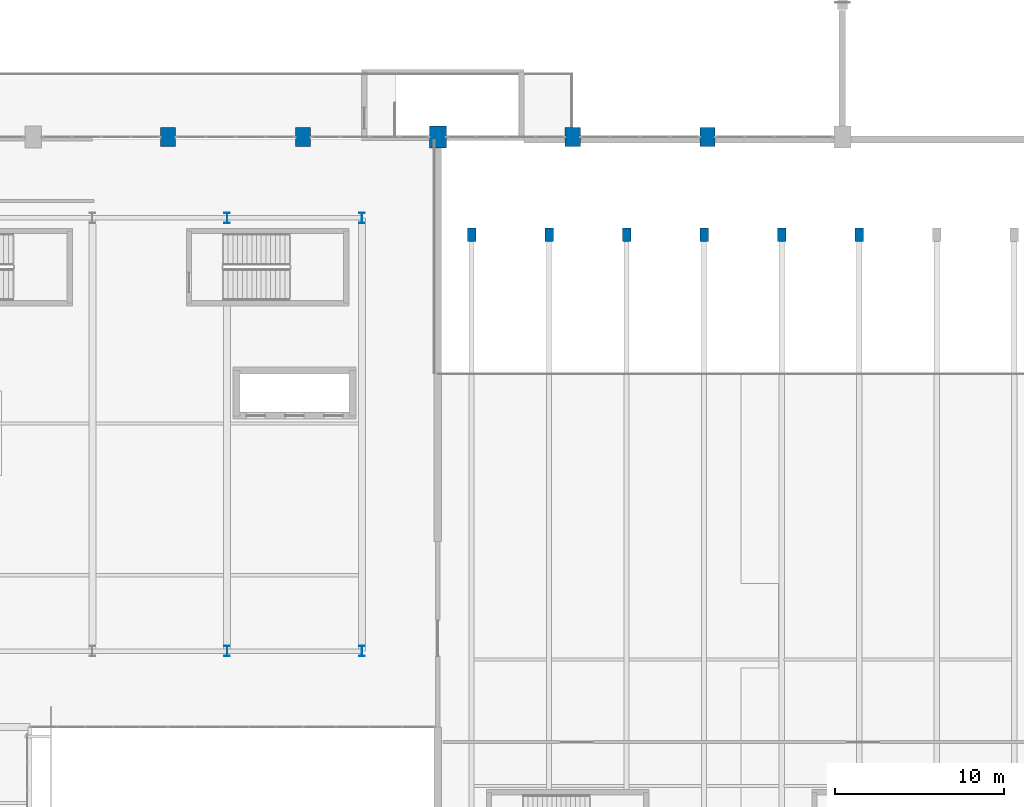
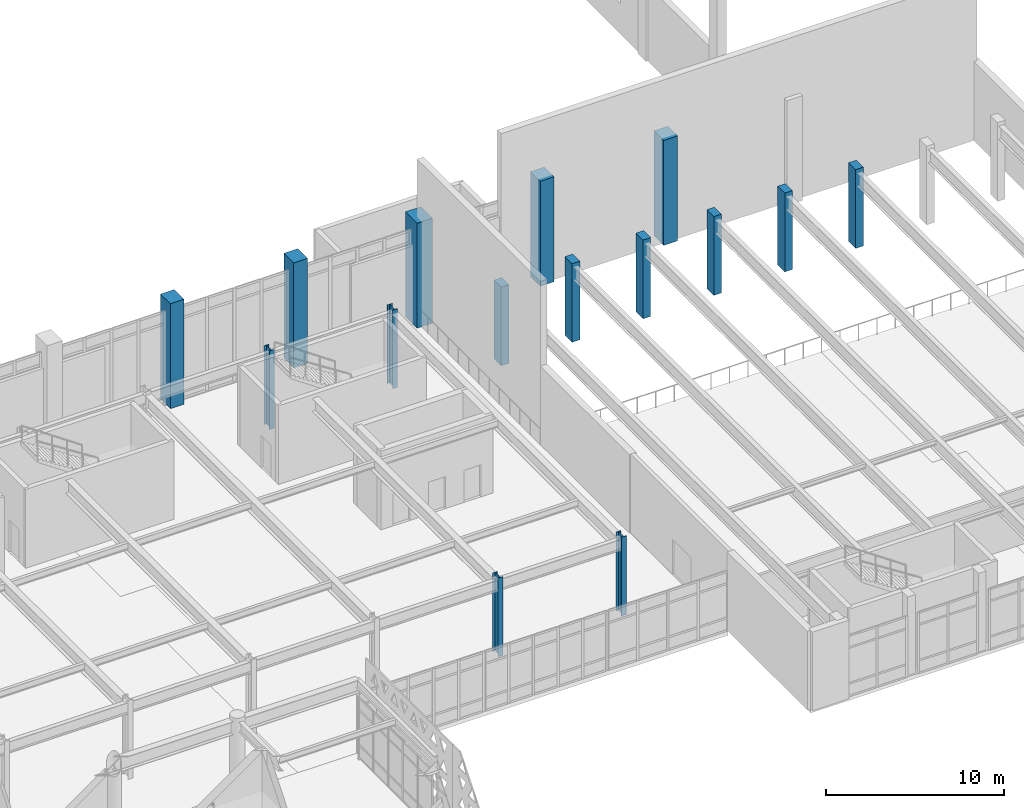
# One storey, part 7 of 84: 15 columns.
"""IFC4 building model written with IfcOpenShell, lengths in metres."""

from ifc_helpers import new_model, si_unit, direction, frame, origin, origin_2d, place, context, subcontext, project, spatial, rectangle, i_section, extrude, material, material_profile, profile_set, type_object, element, save


model = new_model("IFC4")

# Units and contexts
model_context = context("Model", 3, precision=1e-05, world=origin(), true_north=direction((0.0, 1.0)))
body_context = subcontext(model_context, "Body", "Model", "MODEL_VIEW")
ifc_project = project(units=[si_unit("LENGTHUNIT", "METRE"), si_unit("AREAUNIT", "SQUARE_METRE"), si_unit("VOLUMEUNIT", "CUBIC_METRE"), si_unit("PLANEANGLEUNIT", "RADIAN"), si_unit("MASSUNIT", "GRAM", prefix="KILO")], contexts=[model_context])

# Site, building, storey
site_placement = place(None, origin())
site = spatial("IfcSite", under=ifc_project, at=site_placement, CompositionType="ELEMENT")
building_placement = place(site_placement, origin())
building = spatial("IfcBuilding", under=site, at=building_placement, Name="Tlacozan Convention Centre", CompositionType="ELEMENT")
storey_placement = place(building_placement, frame((0.0, 0.0, 6.0)))
storey = spatial("IfcBuildingStorey", under=building, at=storey_placement, Name="L01", CompositionType="ELEMENT", Elevation=6.0)

# Columns
ifc_material_1 = material(Name="Concrete C40/50", Category="concrete")
ifc_material_profile_1 = material_profile(ifc_material_1, rectangle(XDim=0.89990234375, YDim=1.10009765625, at=origin_2d()), Name="RC 900x1100")
ifc_profile_set_1 = profile_set([ifc_material_profile_1], Name="Concrete C40/50")
column_type_1 = type_object("IfcColumnType", Name="Column Buttress RC 900x1100", PredefinedType="COLUMN", material=ifc_profile_set_1)
for number, where, z_axis, x_axis, name in (
    (1, (128.0, 62.0, 0.0), (0.0, 0.0, 1.0), (1.0, 0.0, 0.0), "L01 Column 662"),
    (2, (136.0, 62.0, 0.0), (0.0, 0.0, 1.0), (1.0, 0.0, 0.0), "L01 Column 685"),
    (3, (152.0, 62.0, 0.0), (0.0, 0.0, 1.0), (1.0, 0.0, 0.0), "L01 Column 745"),
    (4, (160.0, 62.0, 0.0), (0.0, 0.0, 1.0), (1.0, 0.0, 0.0), "L01 Column 780"),
):
    element("IfcColumn", number, at=place(storey_placement, frame(where, z_axis=z_axis, x_axis=x_axis)), inside=storey, type_object=column_type_1, Name=name, PredefinedType="COLUMN", context=body_context, shape_type="SweptSolid", body=[
        extrude(rectangle(XDim=0.89990234375, YDim=1.10009765625, at=origin_2d()), origin(), (0.0, 0.0, 1.0), 7.199951171875),
    ])
ifc_material_profile_2 = material_profile(ifc_material_1, rectangle(XDim=1.0, YDim=1.300048828125, at=origin_2d()), Name="RC 1000x1300")
ifc_profile_set_2 = profile_set([ifc_material_profile_2], Name="Concrete C40/50")
column_type_2 = type_object("IfcColumnType", Name="Column Mega Buttress RC 1000x1300", PredefinedType="COLUMN", material=ifc_profile_set_2)
column_placement = place(storey_placement, frame((144.0, 62.0, 0.0), z_axis=(0.0, 0.0, 1.0), x_axis=(1.0, 0.0, 0.0)))
element("IfcColumn", 5, at=column_placement, inside=storey, type_object=column_type_2, Name="L01 Column 710", PredefinedType="COLUMN", context=body_context, shape_type="SweptSolid", body=[
    extrude(rectangle(XDim=1.0, YDim=1.300048828125, at=origin_2d()), origin(), (0.0, 0.0, 1.0), 7.199951171875),
])
ifc_material_2 = material(Name="Steel ASTM A992 Grade 50", Category="steel")
ifc_material_profile_3 = material_profile(ifc_material_2, i_section(OverallWidth=0.323974609375, OverallDepth=0.611083984375, WebThickness=0.0126953125, FlangeThickness=0.01904296875, FilletRadius=0.012939453125, at=origin_2d()), Name="IR 610x155.0")
ifc_profile_set_3 = profile_set([ifc_material_profile_3], Name="Steel ASTM A992 Grade 50")
column_type_3 = type_object("IfcColumnType", Name="Column Steel IR 610x155", PredefinedType="COLUMN", material=ifc_profile_set_3)
for number, where, z_axis, x_axis, name in (
    (6, (131.5, 31.5, 0.0), (0.0, 0.0, 1.0), (1.0, 0.0, 0.0), "L01 Column 675"),
    (7, (131.5, 57.199951171875, 0.0), (0.0, 0.0, 1.0), (1.0, 0.0, 0.0), "L01 Column 681"),
    (8, (139.5, 31.5, 0.0), (0.0, 0.0, 1.0), (1.0, 0.0, 0.0), "L01 Column 698"),
    (9, (139.5, 57.199951171875, 0.0), (0.0, 0.0, 1.0), (1.0, 0.0, 0.0), "L01 Column 706"),
):
    element("IfcColumn", number, at=place(storey_placement, frame(where, z_axis=z_axis, x_axis=x_axis)), inside=storey, type_object=column_type_3, Name=name, PredefinedType="COLUMN", context=body_context, shape_type="SweptSolid", body=[
        extrude(i_section(OverallWidth=0.323974609375, OverallDepth=0.611083984375, WebThickness=0.0126953125, FlangeThickness=0.01904296875, FilletRadius=0.012939453125, at=origin_2d()), origin(), (0.0, 0.0, 1.0), 5.39990234375),
    ])
ifc_material_profile_4 = material_profile(ifc_material_1, rectangle(XDim=0.5, YDim=0.800048828125, at=origin_2d()), Name="RC 500x800")
ifc_profile_set_4 = profile_set([ifc_material_profile_4], Name="Concrete C40/50")
column_type_4 = type_object("IfcColumnType", Name="Pilaster Cantera RC 500x800", PredefinedType="PILASTER", material=ifc_profile_set_4)
for number, where, z_axis, x_axis, name in (
    (10, (146.0, 56.199951171875, 0.0), (0.0, 0.0, 1.0), (1.0, 0.0, 0.0), "L01 Column 730"),
    (11, (150.60009765625, 56.199951171875, 0.0), (0.0, 0.0, 1.0), (1.0, 0.0, 0.0), "L01 Column 741"),
    (12, (155.199951171875, 56.199951171875, 0.0), (0.0, 0.0, 1.0), (1.0, 0.0, 0.0), "L01 Column 765"),
    (13, (159.800048828125, 56.199951171875, 0.0), (0.0, 0.0, 1.0), (1.0, 0.0, 0.0), "L01 Column 776"),
    (14, (164.39990234375, 56.199951171875, 0.0), (0.0, 0.0, 1.0), (1.0, 0.0, 0.0), "L01 Column 800"),
    (15, (169.0, 56.199951171875, 0.0), (0.0, 0.0, 1.0), (1.0, 0.0, 0.0), "L01 Column 838"),
):
    element("IfcColumn", number, at=place(storey_placement, frame(where, z_axis=z_axis, x_axis=x_axis)), inside=storey, type_object=column_type_4, Name=name, PredefinedType="PILASTER", context=body_context, shape_type="SweptSolid", body=[
        extrude(rectangle(XDim=0.5, YDim=0.800048828125, at=origin_2d()), origin(), (0.0, 0.0, 1.0), 5.39990234375),
    ])

save(model, "model.ifc")
